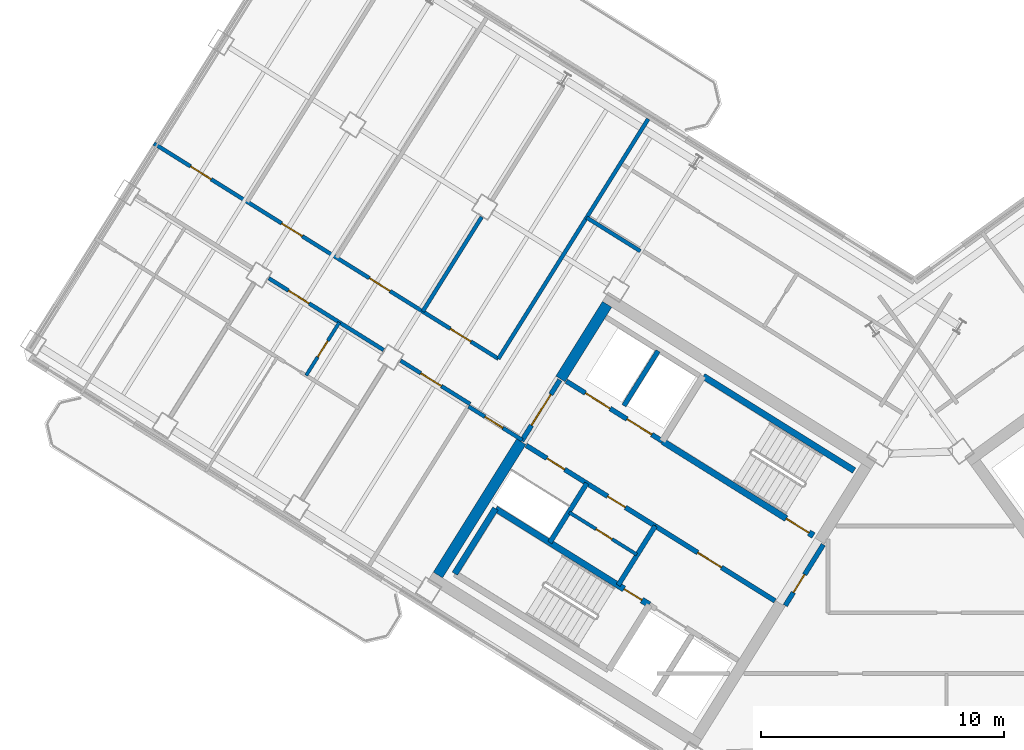
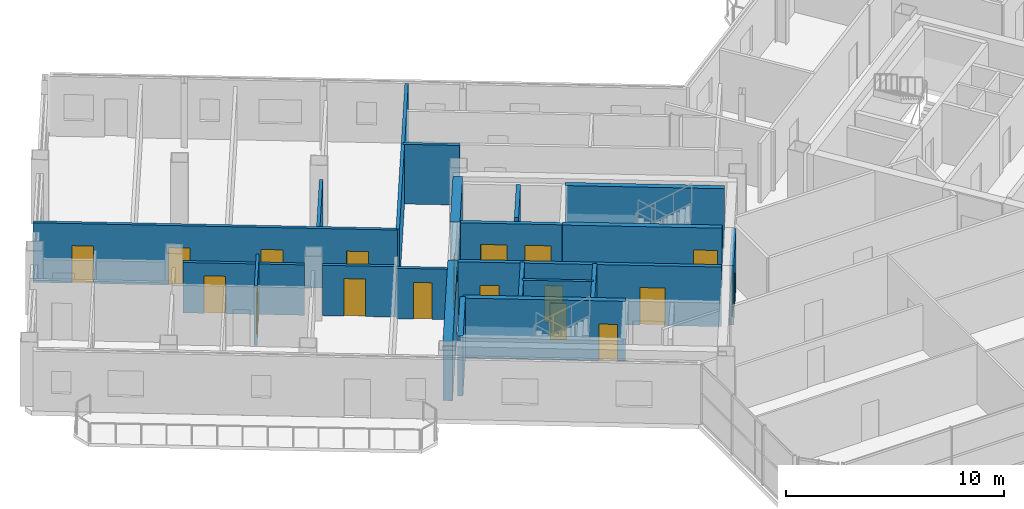
# One storey, part 12 of 21: 23 walls, 18 doors, 18 openings.
"""IFC4 building model written with IfcOpenShell, lengths in metres."""

from ifc_helpers import new_model, si_unit, direction, frame, frame_2d, origin, place, context, subcontext, project, spatial, rectangle, extrude, source, transform, mapped, material, layer, layer_set, type_object, element, fill, save


model = new_model("IFC4")

# Units and contexts
model_context = context("Model", 3, precision=1e-05, world=origin(), true_north=direction((0.0, 1.0)))
body_context = subcontext(model_context, "Body", "Model", "MODEL_VIEW")
ifc_project = project(units=[si_unit("LENGTHUNIT", "METRE"), si_unit("AREAUNIT", "SQUARE_METRE"), si_unit("VOLUMEUNIT", "CUBIC_METRE"), si_unit("PLANEANGLEUNIT", "RADIAN"), si_unit("MASSUNIT", "GRAM", prefix="KILO")], contexts=[model_context])

# Site, building, storey
site_placement = place(None, origin())
site = spatial("IfcSite", under=ifc_project, at=site_placement, CompositionType="ELEMENT")
building_placement = place(site_placement, origin())
building = spatial("IfcBuilding", under=site, at=building_placement, Name="Tlacorven Tower", CompositionType="ELEMENT")
storey_placement = place(building_placement, frame((0.0, 0.0, 207.60009765625)))
storey = spatial("IfcBuildingStorey", under=building, at=storey_placement, Name="L52", CompositionType="ELEMENT", Elevation=207.60009765625)

# Walls
ifc_material_1 = material(Name="Concrete C50/60", Category="concrete")
ifc_layer_1 = layer(ifc_material_1, 0.449951171875)
ifc_layer_set_1 = layer_set([ifc_layer_1], Name="Concrete C50/60")
wall_type_1 = type_object("IfcWallType", Name="WL-COR-450", PredefinedType="SHEAR", material=ifc_layer_set_1)
wall_1_placement = place(storey_placement, frame((29.543701171875, 30.636474609375, 0.0), z_axis=(0.0, 0.0, 1.0), x_axis=(-0.529902075036, -0.848058836916, 0.0)))
element("IfcWall", 1, at=wall_1_placement, inside=storey, type_object=wall_type_1, Name="L52 W core end wall E2.1", PredefinedType="SHEAR", context=body_context, shape_type="SweptSolid", body=[
    extrude(rectangle(XDim=3.625, YDim=0.449951171875, at=frame_2d((1.8125, 0.0))), origin(), (0.0, 0.0, 1.0), 3.349853515625),
])
wall_2_placement = place(storey_placement, frame((26.006591796875, 24.975830078125, 0.0), z_axis=(0.0, 0.0, 1.0), x_axis=(-0.529931155655, -0.848040665456, 0.0)))
element("IfcWall", 2, at=wall_2_placement, inside=storey, type_object=wall_type_1, Name="L52 W core end wall E2.2", PredefinedType="SHEAR", context=body_context, shape_type="SweptSolid", body=[
    extrude(rectangle(XDim=6.47509765625, YDim=0.449951171875, at=frame_2d((3.237548828125, 0.0))), origin(), (0.0, 0.0, 1.0), 3.349853515625),
])
ifc_material_2 = material(Name="Gypsum plasterboard acoustic partition", Category="gypsum")
ifc_layer_2 = layer(ifc_material_2, 0.159912109375)
ifc_layer_set_2 = layer_set([ifc_layer_2], Name="Gypsum plasterboard acoustic partition")
wall_type_2 = type_object("IfcWallType", Name="WL-DEM-160", PredefinedType="PARTITIONING", material=ifc_layer_set_2)
wall_3_placement = place(storey_placement, frame((30.91357421875, 32.82861328125, 0.0), z_axis=(0.0, 0.0, 1.0), x_axis=(-0.848008813643, 0.529982124211, 0.0)))
element("IfcWall", 3, at=wall_3_placement, inside=storey, type_object=wall_type_2, Name="L52 partition 39", PredefinedType="PARTITIONING", context=body_context, shape_type="SweptSolid", body=[
    extrude(rectangle(XDim=2.610107421875, YDim=0.159912109375, at=frame_2d((1.30517578125, 0.0))), origin(), (0.0, 0.0, 1.0), 3.33984375),
])

# Wall, opening, door
wall_4_placement = place(storey_placement, frame((26.048828125, 25.043701171875, 0.0), z_axis=(0.0, 0.0, 1.0), x_axis=(-0.848050851465, 0.529914854792, 0.0)))
wall_4 = element("IfcWall", 4, at=wall_4_placement, inside=storey, type_object=wall_type_2, Name="L52 partition 40", PredefinedType="PARTITIONING", context=body_context, shape_type="SweptSolid", body=[
    extrude(rectangle(XDim=2.60986328125, YDim=0.159912109375, at=frame_2d((1.304931640625, 0.0))), origin(), (0.0, 0.0, 1.0), 2.824951171875),
])
opening_1_placement = place(wall_4_placement, frame((0.949951171875, 0.0, 0.0)))
opening_1 = element("IfcOpeningElement", 5, at=opening_1_placement, cuts=wall_4, Name="Opening D19", PredefinedType="OPENING", context=body_context, shape_type="SweptSolid", body=[
    extrude(rectangle(XDim=0.860107421875, YDim=2.050048828125, at=frame_2d((0.43017578125, 1.02490234375))), frame((0.0, 0.08984375, 0.0), z_axis=(0.0, -1.0, 0.0), x_axis=(1.0, 0.0, 0.0)), (0.0, 0.0, 1.0), 0.179931640625),
])
ifc_material_3 = material(Name="Fire-rated steel door assembly", Category="steel")
door_type_1 = type_object("IfcDoorType", Name="DR-RSR-FD60-0860", OperationType="NOTDEFINED", PredefinedType="DOOR", material=ifc_material_3)
shared_shape_1 = source(origin(), body_context, "Body", "SweptSolid", [
    extrude(rectangle(XDim=0.860107421875, YDim=2.050048828125, at=frame_2d((0.43017578125, 1.02490234375))), frame((0.0, 0.02490234375, 0.0), z_axis=(0.0, -1.0, 0.0), x_axis=(1.0, 0.0, 0.0)), (0.0, 0.0, 1.0), 0.050048828125),
])
door_1_placement = place(opening_1_placement, origin())
door_1 = element("IfcDoor", 6, at=door_1_placement, inside=storey, type_object=door_type_1, Name="L52 door 022", OperationType="SINGLE_SWING_RIGHT", OverallHeight=2.050048828125, OverallWidth=0.860107421875, PredefinedType="DOOR", context=body_context, shape_type="MappedRepresentation", body=[
    mapped(shared_shape_1, transform((0.0, 0.0, 0.0), scale=1.0)),
])
fill(opening_1, door_1)

# Wall
wall_5_placement = place(storey_placement, frame((31.238525390625, 38.27392578125, 0.0), z_axis=(0.0, 0.0, 1.0), x_axis=(-0.529925472745, -0.848044216616, 0.0)))
element("IfcWall", 7, at=wall_5_placement, inside=storey, type_object=wall_type_2, Name="L52 partition 41", PredefinedType="PARTITIONING", context=body_context, shape_type="SweptSolid", body=[
    extrude(rectangle(XDim=11.64990234375, YDim=0.159912109375, at=frame_2d((5.824951171875, 0.0))), origin(), (0.0, 0.0, 1.0), 3.33984375),
])

# Wall, openings, doors
wall_6_placement = place(storey_placement, frame((25.06494140625, 28.394287109375, 0.0), z_axis=(0.0, 0.0, 1.0), x_axis=(-0.848048310262, 0.529918921593, 0.0)))
wall_6 = element("IfcWall", 8, at=wall_6_placement, inside=storey, type_object=wall_type_2, Name="L52 Wing W Corridor South Wall", PredefinedType="PARTITIONING", context=body_context, shape_type="SweptSolid", body=[
    extrude(rectangle(XDim=16.72998046875, YDim=0.159912109375, at=frame_2d((8.364990234375, 0.0))), origin(), (0.0, 0.0, 1.0), 3.33984375),
])
opening_2_placement = place(wall_6_placement, frame((1.337890625, 0.0, 0.0)))
opening_2 = element("IfcOpeningElement", 9, at=opening_2_placement, cuts=wall_6, Name="Opening D11", PredefinedType="OPENING", context=body_context, shape_type="SweptSolid", body=[
    extrude(rectangle(XDim=1.0, YDim=2.10009765625, at=frame_2d((0.5, 1.050048828125))), frame((0.0, 0.08984375, 0.0), z_axis=(0.0, -1.0, 0.0), x_axis=(1.0, 0.0, 0.0)), (0.0, 0.0, 1.0), 0.179931640625),
])
opening_3_placement = place(wall_6_placement, frame((5.264892578125, 0.0, 0.0)))
opening_3 = element("IfcOpeningElement", 10, at=opening_3_placement, cuts=wall_6, Name="Opening D11", PredefinedType="OPENING", context=body_context, shape_type="SweptSolid", body=[
    extrude(rectangle(XDim=1.0, YDim=2.10009765625, at=frame_2d((0.5, 1.050048828125))), frame((0.0, 0.08984375, 0.0), z_axis=(0.0, -1.0, 0.0), x_axis=(1.0, 0.0, 0.0)), (0.0, 0.0, 1.0), 0.179931640625),
])
opening_4_placement = place(wall_6_placement, frame((9.52587890625, 0.0, 0.0)))
opening_4 = element("IfcOpeningElement", 11, at=opening_4_placement, cuts=wall_6, Name="Opening D11", PredefinedType="OPENING", context=body_context, shape_type="SweptSolid", body=[
    extrude(rectangle(XDim=1.0, YDim=2.10009765625, at=frame_2d((0.5, 1.050048828125))), frame((0.0, 0.08984375, 0.0), z_axis=(0.0, -1.0, 0.0), x_axis=(1.0, 0.0, 0.0)), (0.0, 0.0, 1.0), 0.179931640625),
])
opening_5_placement = place(wall_6_placement, frame((13.9541015625, 0.0, 0.0)))
opening_5 = element("IfcOpeningElement", 12, at=opening_5_placement, cuts=wall_6, Name="Opening D11", PredefinedType="OPENING", context=body_context, shape_type="SweptSolid", body=[
    extrude(rectangle(XDim=1.0, YDim=2.10009765625, at=frame_2d((0.5, 1.050048828125))), frame((0.0, 0.08984375, 0.0), z_axis=(0.0, -1.0, 0.0), x_axis=(1.0, 0.0, 0.0)), (0.0, 0.0, 1.0), 0.179931640625),
])
door_type_2 = type_object("IfcDoorType", Name="DR-FLT-FD60-1000", OperationType="NOTDEFINED", PredefinedType="DOOR", material=ifc_material_3)
shared_shape_2 = source(origin(), body_context, "Body", "SweptSolid", [
    extrude(rectangle(XDim=1.0, YDim=2.10009765625, at=frame_2d((0.5, 1.050048828125))), frame((0.0, 0.02490234375, 0.0), z_axis=(0.0, -1.0, 0.0), x_axis=(1.0, 0.0, 0.0)), (0.0, 0.0, 1.0), 0.050048828125),
])
door_2_placement = place(opening_2_placement, frame((1.0, 0.0, 0.0), z_axis=(0.0, 0.0, 1.0), x_axis=(-1.0, 0.0, 0.0)))
door_2 = element("IfcDoor", 13, at=door_2_placement, inside=storey, type_object=door_type_2, Name="L52 door 034", OperationType="SINGLE_SWING_LEFT", OverallHeight=2.10009765625, OverallWidth=1.0, PredefinedType="DOOR", context=body_context, shape_type="MappedRepresentation", body=[
    mapped(shared_shape_2, transform((0.0, 0.0, 0.0), scale=1.0)),
])
fill(opening_2, door_2)
door_3_placement = place(opening_3_placement, frame((1.0, 0.0, 0.0), z_axis=(0.0, 0.0, 1.0), x_axis=(-1.0, 0.0, 0.0)))
door_3 = element("IfcDoor", 14, at=door_3_placement, inside=storey, type_object=door_type_2, Name="L52 door 035", OperationType="SINGLE_SWING_RIGHT", OverallHeight=2.10009765625, OverallWidth=1.0, PredefinedType="DOOR", context=body_context, shape_type="MappedRepresentation", body=[
    mapped(shared_shape_2, transform((0.0, 0.0, 0.0), scale=1.0)),
])
fill(opening_3, door_3)
door_4_placement = place(opening_4_placement, frame((1.0, 0.0, 0.0), z_axis=(0.0, 0.0, 1.0), x_axis=(-1.0, 0.0, 0.0)))
door_4 = element("IfcDoor", 15, at=door_4_placement, inside=storey, type_object=door_type_2, Name="L52 door 036", OperationType="SINGLE_SWING_LEFT", OverallHeight=2.10009765625, OverallWidth=1.0, PredefinedType="DOOR", context=body_context, shape_type="MappedRepresentation", body=[
    mapped(shared_shape_2, transform((0.0, 0.0, 0.0), scale=1.0)),
])
fill(opening_4, door_4)
door_5_placement = place(opening_5_placement, frame((1.0, 0.0, 0.0), z_axis=(0.0, 0.0, 1.0), x_axis=(-1.0, 0.0, 0.0)))
door_5 = element("IfcDoor", 16, at=door_5_placement, inside=storey, type_object=door_type_2, Name="L52 door 037", OperationType="SINGLE_SWING_RIGHT", OverallHeight=2.10009765625, OverallWidth=1.0, PredefinedType="DOOR", context=body_context, shape_type="MappedRepresentation", body=[
    mapped(shared_shape_2, transform((0.0, 0.0, 0.0), scale=1.0)),
])
fill(opening_5, door_5)

# Wall, opening, door
wall_7_placement = place(storey_placement, frame((23.899169921875, 26.528564453125, 0.0), z_axis=(0.0, 0.0, 1.0), x_axis=(-0.848055143312, 0.529907986259, 0.0)))
wall_7 = element("IfcWall", 17, at=wall_7_placement, inside=storey, type_object=wall_type_2, Name="L52 Wing W Corridor North Wall", PredefinedType="PARTITIONING", context=body_context, shape_type="SweptSolid", body=[
    extrude(rectangle(XDim=3.3779296875, YDim=0.159912109375, at=frame_2d((1.68896484375, 0.0))), origin(), (0.0, 0.0, 1.0), 2.824951171875),
])
opening_6_placement = place(wall_7_placement, frame((1.39501953125, 0.0, 0.0)))
opening_6 = element("IfcOpeningElement", 18, at=opening_6_placement, cuts=wall_7, Name="Opening D11", PredefinedType="OPENING", context=body_context, shape_type="SweptSolid", body=[
    extrude(rectangle(XDim=1.0, YDim=2.10009765625, at=frame_2d((0.5, 1.050048828125))), frame((0.0, 0.08984375, 0.0), z_axis=(0.0, -1.0, 0.0), x_axis=(1.0, 0.0, 0.0)), (0.0, 0.0, 1.0), 0.179931640625),
])
door_6_placement = place(opening_6_placement, origin())
door_6 = element("IfcDoor", 19, at=door_6_placement, inside=storey, type_object=door_type_2, Name="L52 door 024", OperationType="SINGLE_SWING_LEFT", OverallHeight=2.10009765625, OverallWidth=1.0, PredefinedType="DOOR", context=body_context, shape_type="MappedRepresentation", body=[
    mapped(shared_shape_2, transform((0.0, 0.0, 0.0), scale=1.0)),
])
fill(opening_6, door_6)

wall_8_placement = place(storey_placement, frame((20.335693359375, 28.755126953125, 0.0), z_axis=(0.0, 0.0, 1.0), x_axis=(-0.848049955116, 0.529916289265, 0.0)))
wall_8 = element("IfcWall", 20, at=wall_8_placement, inside=storey, type_object=wall_type_2, Name="L52 Wing W Corridor North Wall", PredefinedType="PARTITIONING", context=body_context, shape_type="SweptSolid", body=[
    extrude(rectangle(XDim=5.575927734375, YDim=0.159912109375, at=frame_2d((2.7880859375, 0.0))), origin(), (0.0, 0.0, 1.0), 2.824951171875),
])
opening_7_placement = place(wall_8_placement, frame((3.617919921875, 0.0, 0.0)))
opening_7 = element("IfcOpeningElement", 21, at=opening_7_placement, cuts=wall_8, Name="Opening D11", PredefinedType="OPENING", context=body_context, shape_type="SweptSolid", body=[
    extrude(rectangle(XDim=1.0, YDim=2.10009765625, at=frame_2d((0.5, 1.050048828125))), frame((0.0, 0.08984375, 0.0), z_axis=(0.0, -1.0, 0.0), x_axis=(1.0, 0.0, 0.0)), (0.0, 0.0, 1.0), 0.179931640625),
])
door_7_placement = place(opening_7_placement, origin())
door_7 = element("IfcDoor", 22, at=door_7_placement, inside=storey, type_object=door_type_2, Name="L52 door 026", OperationType="SINGLE_SWING_LEFT", OverallHeight=2.10009765625, OverallWidth=1.0, PredefinedType="DOOR", context=body_context, shape_type="MappedRepresentation", body=[
    mapped(shared_shape_2, transform((0.0, 0.0, 0.0), scale=1.0)),
])
fill(opening_7, door_7)

# Wall
wall_9_placement = place(storey_placement, frame((24.378662109375, 34.23291015625, 0.0), z_axis=(0.0, 0.0, 1.0), x_axis=(-0.529922402838, -0.84804613493, 0.0)))
element("IfcWall", 23, at=wall_9_placement, inside=storey, type_object=wall_type_2, Name="L52 partition 55", PredefinedType="PARTITIONING", context=body_context, shape_type="SweptSolid", body=[
    extrude(rectangle(XDim=4.587646484375, YDim=0.159912109375, at=frame_2d((2.2939453125, 0.0))), origin(), (0.0, 0.0, 1.0), 2.824951171875),
])

# Wall, opening, door
ifc_material_4 = material(Name="Moisture-resistant gypsum plumbing wall", Category="gypsum")
ifc_layer_3 = layer(ifc_material_4, 0.139892578125)
ifc_layer_set_3 = layer_set([ifc_layer_3], Name="Moisture-resistant gypsum plumbing wall")
wall_type_3 = type_object("IfcWallType", Name="WL-PLM-140", PredefinedType="PLUMBINGWALL", material=ifc_layer_set_3)
wall_10_placement = place(storey_placement, frame((30.766357421875, 20.3271484375, 0.0), z_axis=(0.0, 0.0, 1.0), x_axis=(-0.848052663127, 0.529911955482, 0.0)))
wall_10 = element("IfcWall", 24, at=wall_10_placement, inside=storey, type_object=wall_type_3, Name="L52 partition 18", PredefinedType="PLUMBINGWALL", context=body_context, shape_type="SweptSolid", body=[
    extrude(rectangle(XDim=3.27978515625, YDim=0.139892578125, at=frame_2d((1.639892578125, 0.0))), origin(), (0.0, 0.0, 1.0), 3.33984375),
])
opening_8_placement = place(wall_10_placement, frame((1.199951171875, 0.0, 0.0)))
opening_8 = element("IfcOpeningElement", 25, at=opening_8_placement, cuts=wall_10, Name="Opening D22", PredefinedType="OPENING", context=body_context, shape_type="SweptSolid", body=[
    extrude(rectangle(XDim=0.780029296875, YDim=2.050048828125, at=frame_2d((0.39013671875, 1.02490234375))), frame((0.0, 0.080078125, 0.0), z_axis=(0.0, -1.0, 0.0), x_axis=(1.0, 0.0, 0.0)), (0.0, 0.0, 1.0), 0.159912109375),
])
ifc_material_5 = material(Name="Powder-coated aluminium and timber door", Category="wood")
door_type_3 = type_object("IfcDoorType", Name="DR-INT-WET-0780", OperationType="NOTDEFINED", PredefinedType="DOOR", material=ifc_material_5)
shared_shape_3 = source(origin(), body_context, "Body", "SweptSolid", [
    extrude(rectangle(XDim=0.780029296875, YDim=2.050048828125, at=frame_2d((0.39013671875, 1.02490234375))), frame((0.0, 0.02490234375, 0.0), z_axis=(0.0, -1.0, 0.0), x_axis=(1.0, 0.0, 0.0)), (0.0, 0.0, 1.0), 0.050048828125),
])
door_8_placement = place(opening_8_placement, origin())
door_8 = element("IfcDoor", 26, at=door_8_placement, inside=storey, type_object=door_type_3, Name="L52 door 010", OperationType="SINGLE_SWING_LEFT", OverallHeight=2.050048828125, OverallWidth=0.780029296875, PredefinedType="DOOR", context=body_context, shape_type="MappedRepresentation", body=[
    mapped(shared_shape_3, transform((0.0, 0.0, 0.0), scale=1.0)),
])
fill(opening_8, door_8)

wall_11_placement = place(storey_placement, frame((18.513916015625, 29.8935546875, 0.0), z_axis=(0.0, 0.0, 1.0), x_axis=(-0.529913878929, -0.848051461244, 0.0)))
wall_11 = element("IfcWall", 27, at=wall_11_placement, inside=storey, type_object=wall_type_3, Name="L52 partition 49", PredefinedType="PLUMBINGWALL", context=body_context, shape_type="SweptSolid", body=[
    extrude(rectangle(XDim=2.580078125, YDim=0.139892578125, at=frame_2d((1.2900390625, 0.0))), origin(), (0.0, 0.0, 1.0), 3.33984375),
])
opening_9_placement = place(wall_11_placement, frame((0.89990234375, 0.0, 0.0)))
opening_9 = element("IfcOpeningElement", 28, at=opening_9_placement, cuts=wall_11, Name="Opening D22", PredefinedType="OPENING", context=body_context, shape_type="SweptSolid", body=[
    extrude(rectangle(XDim=0.780029296875, YDim=2.050048828125, at=frame_2d((0.39013671875, 1.02490234375))), frame((0.0, 0.080078125, 0.0), z_axis=(0.0, -1.0, 0.0), x_axis=(1.0, 0.0, 0.0)), (0.0, 0.0, 1.0), 0.159912109375),
])
door_9_placement = place(opening_9_placement, origin())
door_9 = element("IfcDoor", 29, at=door_9_placement, inside=storey, type_object=door_type_3, Name="L52 door 028", OperationType="SINGLE_SWING_LEFT", OverallHeight=2.050048828125, OverallWidth=0.780029296875, PredefinedType="DOOR", context=body_context, shape_type="MappedRepresentation", body=[
    mapped(shared_shape_3, transform((0.0, 0.0, 0.0), scale=1.0)),
])
fill(opening_9, door_9)

ifc_material_6 = material(Name="Concrete C40/50", Category="concrete")
ifc_layer_4 = layer(ifc_material_6, 0.199951171875)
ifc_layer_set_4 = layer_set([ifc_layer_4], Name="Concrete C40/50")
wall_type_4 = type_object("IfcWallType", Name="WL-SHF-200", PredefinedType="STANDARD", material=ifc_layer_set_4)
wall_12_placement = place(storey_placement, frame((36.459228515625, 18.420654296875, 0.0), z_axis=(0.0, 0.0, 1.0), x_axis=(-0.848059591691, 0.529900867089, 0.0)))
wall_12 = element("IfcWall", 30, at=wall_12_placement, inside=storey, type_object=wall_type_4, Name="L52 Core W Smoke Lobby Wall", PredefinedType="STANDARD", context=body_context, shape_type="SweptSolid", body=[
    extrude(rectangle(XDim=5.818115234375, YDim=0.199951171875, at=frame_2d((2.9091796875, 0.0))), origin(), (0.0, 0.0, 1.0), 3.33984375),
])
opening_10_placement = place(wall_12_placement, frame((2.597900390625, 0.0, 0.0)))
opening_10 = element("IfcOpeningElement", 31, at=opening_10_placement, cuts=wall_12, Name="Opening D09", PredefinedType="OPENING", context=body_context, shape_type="SweptSolid", body=[
    extrude(rectangle(XDim=1.14990234375, YDim=2.10009765625, at=frame_2d((0.574951171875, 1.050048828125))), frame((0.0, 0.10986328125, 0.0), z_axis=(0.0, -1.0, 0.0), x_axis=(1.0, 0.0, 0.0)), (0.0, 0.0, 1.0), 0.219970703125),
])
door_type_4 = type_object("IfcDoorType", Name="DR-FFL-FD60-1150", OperationType="NOTDEFINED", PredefinedType="DOOR", material=ifc_material_3)
shared_shape_4 = source(origin(), body_context, "Body", "SweptSolid", [
    extrude(rectangle(XDim=1.14990234375, YDim=2.10009765625, at=frame_2d((0.574951171875, 1.050048828125))), frame((0.0, 0.02490234375, 0.0), z_axis=(0.0, -1.0, 0.0), x_axis=(1.0, 0.0, 0.0)), (0.0, 0.0, 1.0), 0.050048828125),
])
door_10_placement = place(opening_10_placement, origin())
door_10 = element("IfcDoor", 32, at=door_10_placement, inside=storey, type_object=door_type_4, Name="L52 Firefighting Lobby W Fire Door", OperationType="SINGLE_SWING_RIGHT", OverallHeight=2.10009765625, OverallWidth=1.14990234375, PredefinedType="DOOR", context=body_context, shape_type="MappedRepresentation", body=[
    mapped(shared_shape_4, transform((0.0, 0.0, 0.0), scale=1.0)),
])
fill(opening_10, door_10)

# Wall, openings, doors
wall_13_placement = place(storey_placement, frame((31.82177734375, 24.99755859375, 0.0), z_axis=(0.0, 0.0, 1.0), x_axis=(-0.848054125777, 0.529909614701, 0.0)))
wall_13 = element("IfcWall", 33, at=wall_13_placement, inside=storey, type_object=wall_type_4, Name="L52 Core W South Lift Shaft Wall", PredefinedType="STANDARD", context=body_context, shape_type="SweptSolid", body=[
    extrude(rectangle(XDim=4.66796875, YDim=0.199951171875, at=frame_2d((2.333984375, 0.0))), origin(), (0.0, 0.0, 1.0), 3.33984375),
])
opening_11_placement = place(wall_13_placement, frame((0.52001953125, 0.0, 0.0)))
opening_11 = element("IfcOpeningElement", 34, at=opening_11_placement, cuts=wall_13, Name="Opening LD02", PredefinedType="OPENING", context=body_context, shape_type="SweptSolid", body=[
    extrude(rectangle(XDim=1.199951171875, YDim=2.14990234375, at=frame_2d((0.60009765625, 1.074951171875))), frame((0.0, 0.10986328125, 0.0), z_axis=(0.0, -1.0, 0.0), x_axis=(1.0, 0.0, 0.0)), (0.0, 0.0, 1.0), 0.219970703125),
])
opening_12_placement = place(wall_13_placement, frame((2.5400390625, 0.0, 0.0)))
opening_12 = element("IfcOpeningElement", 35, at=opening_12_placement, cuts=wall_13, Name="Opening LD02", PredefinedType="OPENING", context=body_context, shape_type="SweptSolid", body=[
    extrude(rectangle(XDim=1.199951171875, YDim=2.14990234375, at=frame_2d((0.60009765625, 1.074951171875))), frame((0.0, 0.10986328125, 0.0), z_axis=(0.0, -1.0, 0.0), x_axis=(1.0, 0.0, 0.0)), (0.0, 0.0, 1.0), 0.219970703125),
])
door_type_5 = type_object("IfcDoorType", Name="DR-LFT-SLID-1200", OperationType="DOUBLE_DOOR_SLIDING", PredefinedType="DOOR", material=ifc_material_3)
shared_shape_5 = source(origin(), body_context, "Body", "SweptSolid", [
    extrude(rectangle(XDim=1.199951171875, YDim=2.14990234375, at=frame_2d((0.60009765625, 1.074951171875))), frame((0.0, 0.02490234375, 0.0), z_axis=(0.0, -1.0, 0.0), x_axis=(1.0, 0.0, 0.0)), (0.0, 0.0, 1.0), 0.050048828125),
])
door_11_placement = place(opening_11_placement, origin())
door_11 = element("IfcDoor", 36, at=door_11_placement, inside=storey, type_object=door_type_5, Name="L52 Lift PL-H1 Sliding Landing Door", OperationType="DOUBLE_DOOR_SLIDING", OverallHeight=2.14990234375, OverallWidth=1.199951171875, PredefinedType="DOOR", context=body_context, shape_type="MappedRepresentation", body=[
    mapped(shared_shape_5, transform((0.0, 0.0, 0.0), scale=1.0)),
])
fill(opening_11, door_11)
door_12_placement = place(opening_12_placement, origin())
door_12 = element("IfcDoor", 37, at=door_12_placement, inside=storey, type_object=door_type_5, Name="L52 Lift PL-H2 Sliding Landing Door", OperationType="DOUBLE_DOOR_SLIDING", OverallHeight=2.14990234375, OverallWidth=1.199951171875, PredefinedType="DOOR", context=body_context, shape_type="MappedRepresentation", body=[
    mapped(shared_shape_5, transform((0.0, 0.0, 0.0), scale=1.0)),
])
fill(opening_12, door_12)

# Walls
wall_14_placement = place(storey_placement, frame((31.645263671875, 28.716064453125, 0.0), z_axis=(0.0, 0.0, 1.0), x_axis=(-0.52986693015, -0.848080795876, 0.0)))
element("IfcWall", 38, at=wall_14_placement, inside=storey, type_object=wall_type_4, Name="L52 partition 12", PredefinedType="STANDARD", context=body_context, shape_type="SweptSolid", body=[
    extrude(rectangle(XDim=2.659912109375, YDim=0.199951171875, at=frame_2d((1.330078125, 0.0))), origin(), (0.0, 0.0, 1.0), 3.33984375),
])
for number, where, z_axis, x_axis, name in (
    (39, (31.525146484375, 21.503662109375, 0.0), (0.0, 0.0, 1.0), (-0.529907497854, -0.848055448493, 0.0), "L52 partition 15"),
    (40, (28.709716796875, 23.26318359375, 0.0), (0.0, 0.0, 1.0), (-0.529907497854, -0.848055448493, 0.0), "L52 partition 16"),
):
    element("IfcWall", number, at=place(storey_placement, frame(where, z_axis=z_axis, x_axis=x_axis)), inside=storey, type_object=wall_type_4, Name=name, PredefinedType="STANDARD", context=body_context, shape_type="SweptSolid", body=[
        extrude(rectangle(XDim=2.8798828125, YDim=0.199951171875, at=frame_2d((1.43994140625, 0.0))), origin(), (0.0, 0.0, 1.0), 3.33984375),
    ])

# Wall, openings, doors
wall_15_placement = place(storey_placement, frame((31.525146484375, 21.503662109375, 0.0), z_axis=(0.0, 0.0, 1.0), x_axis=(-0.848042066329, 0.529928913853, 0.0)))
wall_15 = element("IfcWall", 41, at=wall_15_placement, inside=storey, type_object=wall_type_4, Name="L52 Core W North Service Wall", PredefinedType="STANDARD", context=body_context, shape_type="SweptSolid", body=[
    extrude(rectangle(XDim=6.267822265625, YDim=0.199951171875, at=frame_2d((3.1337890625, 0.0))), origin(), (0.0, 0.0, 1.0), 3.33984375),
])
opening_13_placement = place(wall_15_placement, frame((4.39990234375, 0.0, 0.0)))
opening_13 = element("IfcOpeningElement", 42, at=opening_13_placement, cuts=wall_15, Name="Opening D19", PredefinedType="OPENING", context=body_context, shape_type="SweptSolid", body=[
    extrude(rectangle(XDim=0.860107421875, YDim=2.050048828125, at=frame_2d((0.43017578125, 1.02490234375))), frame((0.0, 0.10986328125, 0.0), z_axis=(0.0, -1.0, 0.0), x_axis=(1.0, 0.0, 0.0)), (0.0, 0.0, 1.0), 0.219970703125),
])
opening_14_placement = place(wall_15_placement, frame((1.449951171875, 0.0, 0.0)))
opening_14 = element("IfcOpeningElement", 43, at=opening_14_placement, cuts=wall_15, Name="Opening D19", PredefinedType="OPENING", context=body_context, shape_type="SweptSolid", body=[
    extrude(rectangle(XDim=0.860107421875, YDim=2.050048828125, at=frame_2d((0.43017578125, 1.02490234375))), frame((0.0, 0.10986328125, 0.0), z_axis=(0.0, -1.0, 0.0), x_axis=(1.0, 0.0, 0.0)), (0.0, 0.0, 1.0), 0.219970703125),
])
door_13_placement = place(opening_13_placement, frame((0.860107421875, 0.0, 0.0), z_axis=(0.0, 0.0, 1.0), x_axis=(-1.0, 0.0, 0.0)))
door_13 = element("IfcDoor", 44, at=door_13_placement, inside=storey, type_object=door_type_1, Name="L52 Electrical Riser Access Door W", OperationType="SINGLE_SWING_LEFT", OverallHeight=2.050048828125, OverallWidth=0.860107421875, PredefinedType="DOOR", context=body_context, shape_type="MappedRepresentation", body=[
    mapped(shared_shape_1, transform((0.0, 0.0, 0.0), scale=1.0)),
])
fill(opening_13, door_13)
door_14_placement = place(opening_14_placement, frame((0.860107421875, 0.0, 0.0), z_axis=(0.0, 0.0, 1.0), x_axis=(-1.0, 0.0, 0.0)))
door_14 = element("IfcDoor", 45, at=door_14_placement, inside=storey, type_object=door_type_1, Name="L52 Cleaner Store Access Door W", OperationType="SINGLE_SWING_RIGHT", OverallHeight=2.050048828125, OverallWidth=0.860107421875, PredefinedType="DOOR", context=body_context, shape_type="MappedRepresentation", body=[
    mapped(shared_shape_1, transform((0.0, 0.0, 0.0), scale=1.0)),
])
fill(opening_14, door_14)

# Wall, opening, door
wall_16_placement = place(storey_placement, frame((27.59619140625, 27.52001953125, 0.0), z_axis=(0.0, 0.0, 1.0), x_axis=(-0.529865479138, -0.848081702443, 0.0)))
wall_16 = element("IfcWall", 46, at=wall_16_placement, inside=storey, type_object=wall_type_4, Name="L52 partition 38", PredefinedType="STANDARD", context=body_context, shape_type="SweptSolid", body=[
    extrude(rectangle(XDim=2.9599609375, YDim=0.199951171875, at=frame_2d((1.47998046875, 0.0))), origin(), (0.0, 0.0, 1.0), 3.33984375),
])
opening_15_placement = place(wall_16_placement, frame((0.699951171875, 0.0, 0.0)))
opening_15 = element("IfcOpeningElement", 47, at=opening_15_placement, cuts=wall_16, Name="Opening D10", PredefinedType="OPENING", context=body_context, shape_type="SweptSolid", body=[
    extrude(rectangle(XDim=1.5, YDim=2.14990234375, at=frame_2d((0.75, 1.074951171875))), frame((0.0, 0.10986328125, 0.0), z_axis=(0.0, -1.0, 0.0), x_axis=(1.0, 0.0, 0.0)), (0.0, 0.0, 1.0), 0.219970703125),
])
door_type_6 = type_object("IfcDoorType", Name="DR-LOB-FD60-1500", OperationType="DOUBLE_DOOR_SINGLE_SWING", PredefinedType="DOOR", material=ifc_material_3)
shared_shape_6 = source(origin(), body_context, "Body", "SweptSolid", [
    extrude(rectangle(XDim=1.5, YDim=2.14990234375, at=frame_2d((0.75, 1.074951171875))), frame((0.0, 0.02490234375, 0.0), z_axis=(0.0, -1.0, 0.0), x_axis=(1.0, 0.0, 0.0)), (0.0, 0.0, 1.0), 0.050048828125),
])
door_15_placement = place(opening_15_placement, origin())
door_15 = element("IfcDoor", 48, at=door_15_placement, inside=storey, type_object=door_type_6, Name="L52 door 023", OperationType="DOUBLE_DOOR_SINGLE_SWING", OverallHeight=2.14990234375, OverallWidth=1.5, PredefinedType="DOOR", context=body_context, shape_type="MappedRepresentation", body=[
    mapped(shared_shape_6, transform((0.0, 0.0, 0.0), scale=1.0)),
])
fill(opening_15, door_15)

wall_17_placement = place(storey_placement, frame((38.451416015625, 20.737060546875, 0.0), z_axis=(0.0, 0.0, 1.0), x_axis=(-0.529924799939, -0.848044637038, 0.0)))
wall_17 = element("IfcWall", 49, at=wall_17_placement, inside=storey, type_object=wall_type_4, Name="L52 partition 62", PredefinedType="STANDARD", context=body_context, shape_type="SweptSolid", body=[
    extrude(rectangle(XDim=2.9599609375, YDim=0.199951171875, at=frame_2d((1.47998046875, 0.0))), origin(), (0.0, 0.0, 1.0), 3.33984375),
])
opening_16_placement = place(wall_17_placement, frame((1.4599609375, 0.0, 0.0)))
opening_16 = element("IfcOpeningElement", 50, at=opening_16_placement, cuts=wall_17, Name="Opening D19", PredefinedType="OPENING", context=body_context, shape_type="SweptSolid", body=[
    extrude(rectangle(XDim=0.860107421875, YDim=2.050048828125, at=frame_2d((0.43017578125, 1.02490234375))), frame((0.0, 0.10986328125, 0.0), z_axis=(0.0, -1.0, 0.0), x_axis=(1.0, 0.0, 0.0)), (0.0, 0.0, 1.0), 0.219970703125),
])
door_16_placement = place(opening_16_placement, frame((0.860107421875, 0.0, 0.0), z_axis=(0.0, 0.0, 1.0), x_axis=(-1.0, 0.0, 0.0)))
door_16 = element("IfcDoor", 51, at=door_16_placement, inside=storey, type_object=door_type_1, Name="L52 door 042", OperationType="SINGLE_SWING_LEFT", OverallHeight=2.050048828125, OverallWidth=0.860107421875, PredefinedType="DOOR", context=body_context, shape_type="MappedRepresentation", body=[
    mapped(shared_shape_1, transform((0.0, 0.0, 0.0), scale=1.0)),
])
fill(opening_16, door_16)

ifc_layer_5 = layer(ifc_material_1, 0.260009765625)
ifc_layer_set_5 = layer_set([ifc_layer_5], Name="Concrete C50/60")
wall_type_5 = type_object("IfcWallType", Name="WL-STW-260", PredefinedType="SHEAR", material=ifc_layer_set_5)
wall_18_placement = place(storey_placement, frame((31.279541015625, 18.26123046875, 0.0), z_axis=(0.0, 0.0, 1.0), x_axis=(-0.848051618787, 0.529913626805, 0.0)))
wall_18 = element("IfcWall", 52, at=wall_18_placement, inside=storey, type_object=wall_type_5, Name="L52 Stair W1 Lobby Shear Wall", PredefinedType="SHEAR", context=body_context, shape_type="SweptSolid", body=[
    extrude(rectangle(XDim=7.4599609375, YDim=0.260009765625, at=frame_2d((3.72998046875, 0.0))), origin(), (0.0, 0.0, 1.0), 3.349853515625),
])
opening_17_placement = place(wall_18_placement, frame((0.360107421875, 0.0, 0.0)))
opening_17 = element("IfcOpeningElement", 53, at=opening_17_placement, cuts=wall_18, Name="Opening D19", PredefinedType="OPENING", context=body_context, shape_type="SweptSolid", body=[
    extrude(rectangle(XDim=0.860107421875, YDim=2.050048828125, at=frame_2d((0.43017578125, 1.02490234375))), frame((0.0, 0.14013671875, 0.0), z_axis=(0.0, -1.0, 0.0), x_axis=(1.0, 0.0, 0.0)), (0.0, 0.0, 1.0), 0.280029296875),
])
door_17_placement = place(opening_17_placement, frame((0.860107421875, 0.0, 0.0), z_axis=(0.0, 0.0, 1.0), x_axis=(-1.0, 0.0, 0.0)))
door_17 = element("IfcDoor", 54, at=door_17_placement, inside=storey, type_object=door_type_1, Name="L52 Exit Stair W1 Fire Door", OperationType="SINGLE_SWING_LEFT", OverallHeight=2.050048828125, OverallWidth=0.860107421875, PredefinedType="DOOR", context=body_context, shape_type="MappedRepresentation", body=[
    mapped(shared_shape_1, transform((0.0, 0.0, 0.0), scale=1.0)),
])
fill(opening_17, door_17)

# Walls
wall_19_placement = place(storey_placement, frame((24.944580078125, 22.2197265625, 0.0), z_axis=(0.0, 0.0, 1.0), x_axis=(-0.529908658664, -0.84805472316, 0.0)))
element("IfcWall", 55, at=wall_19_placement, inside=storey, type_object=wall_type_5, Name="L52 Stair W1 East Shear Wall", PredefinedType="SHEAR", context=body_context, shape_type="SweptSolid", body=[
    extrude(rectangle(XDim=3.16015625, YDim=0.260009765625, at=frame_2d((1.580078125, 0.0))), origin(), (0.0, 0.0, 1.0), 3.349853515625),
])
wall_20_placement = place(storey_placement, frame((39.720947265625, 23.787841796875, 0.0), z_axis=(0.0, 0.0, 1.0), x_axis=(-0.848054434086, 0.529909121291, 0.0)))
element("IfcWall", 56, at=wall_20_placement, inside=storey, type_object=wall_type_5, Name="L52 Stair W2 Far Shear Wall", PredefinedType="SHEAR", context=body_context, shape_type="SweptSolid", body=[
    extrude(rectangle(XDim=7.330078125, YDim=0.260009765625, at=frame_2d((3.6650390625, 0.0))), origin(), (0.0, 0.0, 1.0), 3.349853515625),
])

# Wall, opening, door
wall_21_placement = place(storey_placement, frame((38.04638671875, 21.10791015625, 0.0), z_axis=(0.0, 0.0, 1.0), x_axis=(-0.848054434086, 0.529909121291, 0.0)))
wall_21 = element("IfcWall", 57, at=wall_21_placement, inside=storey, type_object=wall_type_5, Name="L52 Stair W2 Lobby Shear Wall", PredefinedType="SHEAR", context=body_context, shape_type="SweptSolid", body=[
    extrude(rectangle(XDim=7.330078125, YDim=0.260009765625, at=frame_2d((3.6650390625, 0.0))), origin(), (0.0, 0.0, 1.0), 3.349853515625),
])
opening_18_placement = place(wall_21_placement, frame((0.219970703125, 0.0, 0.0)))
opening_18 = element("IfcOpeningElement", 58, at=opening_18_placement, cuts=wall_21, Name="Opening D07", PredefinedType="OPENING", context=body_context, shape_type="SweptSolid", body=[
    extrude(rectangle(XDim=1.10009765625, YDim=2.10009765625, at=frame_2d((0.550048828125, 1.050048828125))), frame((0.0, 0.14013671875, 0.0), z_axis=(0.0, -1.0, 0.0), x_axis=(1.0, 0.0, 0.0)), (0.0, 0.0, 1.0), 0.280029296875),
])
door_type_7 = type_object("IfcDoorType", Name="DR-STR-FD90-1100", OperationType="NOTDEFINED", PredefinedType="DOOR", material=ifc_material_3)
shared_shape_7 = source(origin(), body_context, "Body", "SweptSolid", [
    extrude(rectangle(XDim=1.10009765625, YDim=2.10009765625, at=frame_2d((0.550048828125, 1.050048828125))), frame((0.0, 0.02490234375, 0.0), z_axis=(0.0, -1.0, 0.0), x_axis=(1.0, 0.0, 0.0)), (0.0, 0.0, 1.0), 0.050048828125),
])
door_18_placement = place(opening_18_placement, origin())
door_18 = element("IfcDoor", 59, at=door_18_placement, inside=storey, type_object=door_type_7, Name="L52 Exit Stair W2 Fire Door", OperationType="SINGLE_SWING_LEFT", OverallHeight=2.10009765625, OverallWidth=1.10009765625, PredefinedType="DOOR", context=body_context, shape_type="MappedRepresentation", body=[
    mapped(shared_shape_7, transform((0.0, 0.0, 0.0), scale=1.0)),
])
fill(opening_18, door_18)

save(model, "model.ifc")
